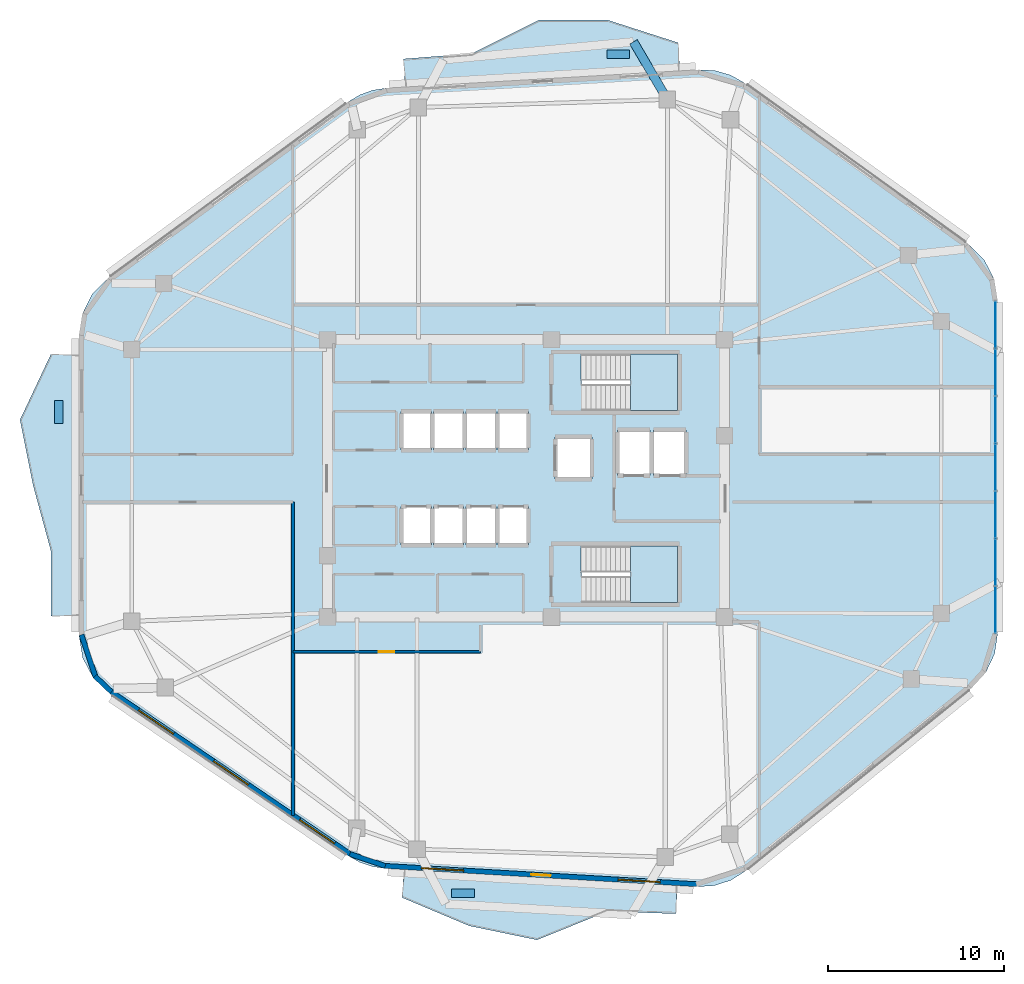
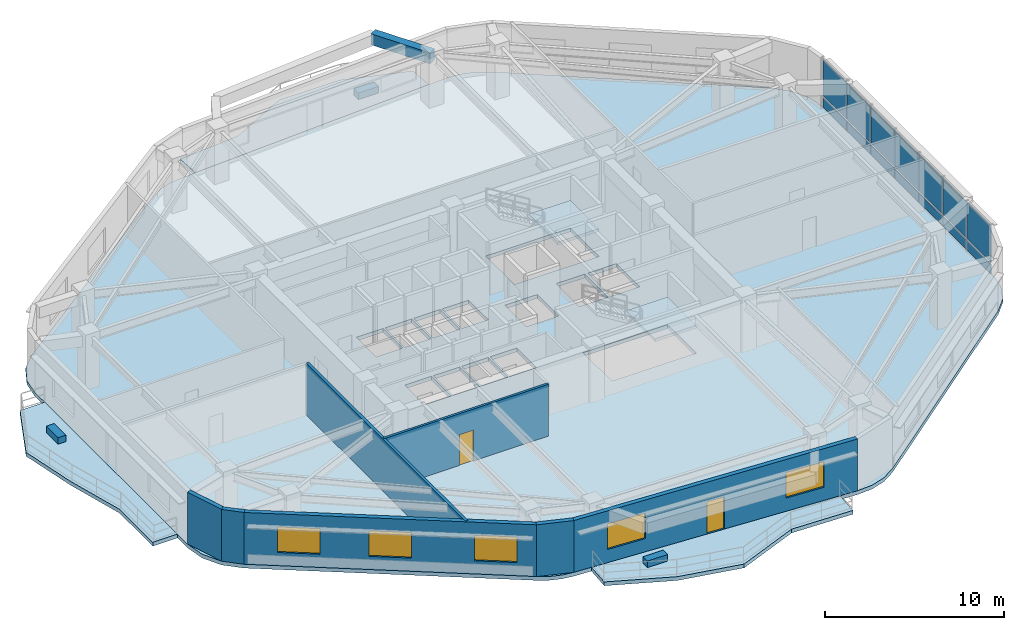
# One storey, part 8 of 14: 17 plates, 7 walls, 6 slabs, 5 windows, 2 doors, 1 beam, 7 openings, 3 elements without a shape of their own.
"""IFC4 building model written with IfcOpenShell, lengths in metres."""

from ifc_helpers import new_model, si_unit, direction, frame, frame_2d, origin, origin_2d, place, context, subcontext, project, spatial, polyline, rectangle, outline, extrude, material, layer, layer_set, material_profile, profile_set, type_object, element, fill, aggregate, save


model = new_model("IFC4")

# Units and contexts
model_context = context("Model", 3, precision=1e-05, world=origin(), true_north=direction((0.0, 1.0)))
body_context = subcontext(model_context, "Body", "Model", "MODEL_VIEW")
ifc_project = project(units=[si_unit("LENGTHUNIT", "METRE"), si_unit("AREAUNIT", "SQUARE_METRE"), si_unit("VOLUMEUNIT", "CUBIC_METRE"), si_unit("PLANEANGLEUNIT", "RADIAN"), si_unit("MASSUNIT", "GRAM", prefix="KILO")], contexts=[model_context])

# Site, building, storey
site_placement = place(None, origin())
site = spatial("IfcSite", under=ifc_project, at=site_placement, CompositionType="ELEMENT")
building_placement = place(site_placement, origin())
building = spatial("IfcBuilding", under=site, at=building_placement, Name="Zulverin Broadcast Headquarters", CompositionType="ELEMENT")
storey_placement = place(building_placement, frame((0.0, 0.0, 201.0)))
storey = spatial("IfcBuildingStorey", under=building, at=storey_placement, Name="L51", CompositionType="ELEMENT", Elevation=201.0)

# Beam
ifc_material_1 = material(Name="Concrete C40/50", Category="concrete")
ifc_material_profile = material_profile(ifc_material_1, rectangle(XDim=0.5, YDim=0.75, at=origin_2d()), Name="Concrete C40/50", Category="concrete")
ifc_profile_set = profile_set([ifc_material_profile], Name="Concrete C40/50")
beam_type = type_object("IfcBeamType", Name="BM-RC-500x750", PredefinedType="BEAM", material=ifc_profile_set)
beam_placement = place(storey_placement, frame((45.027587890625, 46.7236328125, 3.1650390625), z_axis=(-0.506062406052, 0.862496864447, 0.0), x_axis=(-0.862496864447, -0.506062406052, 0.0)))
element("IfcBeam", 1, at=beam_placement, inside=storey, type_object=beam_type, Name="L52 Balcony Column-Framed Cantilever BAL_N-1", PredefinedType="BEAM", context=body_context, shape_type="SweptSolid", body=[
    extrude(rectangle(XDim=0.5, YDim=0.75, at=origin_2d()), origin(), (0.0, 0.0, 1.0), 3.800048828125),
])

# Curtain wall, plates
ifc_material_2 = material(Name="Waist wind-pressure unitised curtain wall", Category="aluminium")
curtain_wall_type = type_object("IfcCurtainWallType", Name="CW-TWR-WST", PredefinedType="USERDEFINED", material=ifc_material_2)
curtain_wall_placement = place(storey_placement, origin())
curtain_wall = element("IfcCurtainWall", 2, at=curtain_wall_placement, inside=storey, type_object=curtain_wall_type, Name="L51 Unitised Curtain Wall CW-L51-E3", ObjectType="UNITISED CURTAIN WALL", PredefinedType="USERDEFINED")
ifc_material_3 = material(Name="Low-E double-glazed pale-silver vision glass", Category="glass")
ifc_layer_1 = layer(ifc_material_3, 0.035888671875, Name="Low-E double-glazed pale-silver vision glass", Category="glass")
ifc_layer_set_1 = layer_set([ifc_layer_1], Name="Low-E double-glazed pale-silver vision glass")
plate_type_1 = type_object("IfcPlateType", Name="CW-PNL-GLZ", PredefinedType="CURTAIN_PANEL", material=ifc_layer_set_1)
plate_1_placement = place(storey_placement, frame((63.679931640625, 17.73876953125, 0.91455078125), z_axis=(0.0, 0.0, 1.0), x_axis=(0.0, 1.0, 0.0)))
plate_1 = element("IfcPlate", 3, at=plate_1_placement, type_object=plate_type_1, Name="CW-L51-E3 Vision Panel 00", PredefinedType="CURTAIN_PANEL", context=body_context, shape_type="SweptSolid", body=[
    extrude(rectangle(XDim=2.656494140625, YDim=0.035888671875, at=origin_2d()), origin(), (0.0, 0.0, 1.0), 2.4853515625),
])
plate_2_placement = place(storey_placement, frame((63.679931640625, 20.435302734375, 0.91455078125), z_axis=(0.0, 0.0, 1.0), x_axis=(0.0, 1.0, 0.0)))
plate_2 = element("IfcPlate", 4, at=plate_2_placement, type_object=plate_type_1, Name="CW-L51-E3 Vision Panel 01", PredefinedType="CURTAIN_PANEL", context=body_context, shape_type="SweptSolid", body=[
    extrude(rectangle(XDim=2.656494140625, YDim=0.035888671875, at=origin_2d()), origin(), (0.0, 0.0, 1.0), 2.4853515625),
])
plate_3_placement = place(storey_placement, frame((63.679931640625, 23.1318359375, 0.91455078125), z_axis=(0.0, 0.0, 1.0), x_axis=(0.0, 1.0, 0.0)))
plate_3 = element("IfcPlate", 5, at=plate_3_placement, type_object=plate_type_1, Name="CW-L51-E3 Vision Panel 02", PredefinedType="CURTAIN_PANEL", context=body_context, shape_type="SweptSolid", body=[
    extrude(rectangle(XDim=2.656494140625, YDim=0.035888671875, at=origin_2d()), origin(), (0.0, 0.0, 1.0), 2.4853515625),
])
plate_4_placement = place(storey_placement, frame((63.679931640625, 25.828369140625, 0.91455078125), z_axis=(0.0, 0.0, 1.0), x_axis=(0.0, 1.0, 0.0)))
plate_4 = element("IfcPlate", 6, at=plate_4_placement, type_object=plate_type_1, Name="CW-L51-E3 Vision Panel 03", PredefinedType="CURTAIN_PANEL", context=body_context, shape_type="SweptSolid", body=[
    extrude(rectangle(XDim=2.656494140625, YDim=0.035888671875, at=origin_2d()), origin(), (0.0, 0.0, 1.0), 2.4853515625),
])
plate_5_placement = place(storey_placement, frame((63.679931640625, 28.52490234375, 0.91455078125), z_axis=(0.0, 0.0, 1.0), x_axis=(0.0, 1.0, 0.0)))
plate_5 = element("IfcPlate", 7, at=plate_5_placement, type_object=plate_type_1, Name="CW-L51-E3 Vision Panel 04", PredefinedType="CURTAIN_PANEL", context=body_context, shape_type="SweptSolid", body=[
    extrude(rectangle(XDim=2.656494140625, YDim=0.035888671875, at=origin_2d()), origin(), (0.0, 0.0, 1.0), 2.4853515625),
])
plate_6_placement = place(storey_placement, frame((63.679931640625, 31.221435546875, 0.91455078125), z_axis=(0.0, 0.0, 1.0), x_axis=(0.0, 1.0, 0.0)))
plate_6 = element("IfcPlate", 8, at=plate_6_placement, type_object=plate_type_1, Name="CW-L51-E3 Vision Panel 05", PredefinedType="CURTAIN_PANEL", context=body_context, shape_type="SweptSolid", body=[
    extrude(rectangle(XDim=2.656494140625, YDim=0.035888671875, at=origin_2d()), origin(), (0.0, 0.0, 1.0), 2.4853515625),
])
plate_7_placement = place(storey_placement, frame((63.679931640625, 33.91796875, 0.91455078125), z_axis=(0.0, 0.0, 1.0), x_axis=(0.0, 1.0, 0.0)))
plate_7 = element("IfcPlate", 9, at=plate_7_placement, type_object=plate_type_1, Name="CW-L51-E3 Vision Panel 06", PredefinedType="CURTAIN_PANEL", context=body_context, shape_type="SweptSolid", body=[
    extrude(rectangle(XDim=2.656494140625, YDim=0.035888671875, at=origin_2d()), origin(), (0.0, 0.0, 1.0), 2.4853515625),
])
ifc_material_4 = material(Name="Insulated brushed pale-aluminium spandrel cassette", Category="aluminium")
ifc_layer_2 = layer(ifc_material_4, 0.050048828125, Name="Insulated brushed pale-aluminium spandrel cassette", Category="aluminium")
ifc_layer_set_2 = layer_set([ifc_layer_2], Name="Insulated brushed pale-aluminium spandrel cassette")
plate_type_2 = type_object("IfcPlateType", Name="CW-PNL-SPN", PredefinedType="CURTAIN_PANEL", material=ifc_layer_set_2)
plate_8_placement = place(storey_placement, frame((63.679931640625, 17.73876953125, 0.14013671875), z_axis=(0.0, 0.0, 1.0), x_axis=(0.0, 1.0, 0.0)))
plate_8 = element("IfcPlate", 10, at=plate_8_placement, type_object=plate_type_2, Name="CW-L51-E3 Spandrel Cassette 00", PredefinedType="CURTAIN_PANEL", context=body_context, shape_type="SweptSolid", body=[
    extrude(rectangle(XDim=2.656494140625, YDim=0.050048828125, at=origin_2d()), origin(), (0.0, 0.0, 1.0), 0.64453125),
])
plate_9_placement = place(storey_placement, frame((63.679931640625, 20.435302734375, 0.14013671875), z_axis=(0.0, 0.0, 1.0), x_axis=(0.0, 1.0, 0.0)))
plate_9 = element("IfcPlate", 11, at=plate_9_placement, type_object=plate_type_2, Name="CW-L51-E3 Spandrel Cassette 01", PredefinedType="CURTAIN_PANEL", context=body_context, shape_type="SweptSolid", body=[
    extrude(rectangle(XDim=2.656494140625, YDim=0.050048828125, at=origin_2d()), origin(), (0.0, 0.0, 1.0), 0.64453125),
])
plate_10_placement = place(storey_placement, frame((63.679931640625, 23.1318359375, 0.14013671875), z_axis=(0.0, 0.0, 1.0), x_axis=(0.0, 1.0, 0.0)))
plate_10 = element("IfcPlate", 12, at=plate_10_placement, type_object=plate_type_2, Name="CW-L51-E3 Spandrel Cassette 02", PredefinedType="CURTAIN_PANEL", context=body_context, shape_type="SweptSolid", body=[
    extrude(rectangle(XDim=2.656494140625, YDim=0.050048828125, at=origin_2d()), origin(), (0.0, 0.0, 1.0), 0.64453125),
])
plate_11_placement = place(storey_placement, frame((63.679931640625, 25.828369140625, 0.14013671875), z_axis=(0.0, 0.0, 1.0), x_axis=(0.0, 1.0, 0.0)))
plate_11 = element("IfcPlate", 13, at=plate_11_placement, type_object=plate_type_2, Name="CW-L51-E3 Spandrel Cassette 03", PredefinedType="CURTAIN_PANEL", context=body_context, shape_type="SweptSolid", body=[
    extrude(rectangle(XDim=2.656494140625, YDim=0.050048828125, at=origin_2d()), origin(), (0.0, 0.0, 1.0), 0.64453125),
])
plate_12_placement = place(storey_placement, frame((63.679931640625, 28.52490234375, 0.14013671875), z_axis=(0.0, 0.0, 1.0), x_axis=(0.0, 1.0, 0.0)))
plate_12 = element("IfcPlate", 14, at=plate_12_placement, type_object=plate_type_2, Name="CW-L51-E3 Spandrel Cassette 04", PredefinedType="CURTAIN_PANEL", context=body_context, shape_type="SweptSolid", body=[
    extrude(rectangle(XDim=2.656494140625, YDim=0.050048828125, at=origin_2d()), origin(), (0.0, 0.0, 1.0), 0.64453125),
])
plate_13_placement = place(storey_placement, frame((63.679931640625, 31.221435546875, 0.14013671875), z_axis=(0.0, 0.0, 1.0), x_axis=(0.0, 1.0, 0.0)))
plate_13 = element("IfcPlate", 15, at=plate_13_placement, type_object=plate_type_2, Name="CW-L51-E3 Spandrel Cassette 05", PredefinedType="CURTAIN_PANEL", context=body_context, shape_type="SweptSolid", body=[
    extrude(rectangle(XDim=2.656494140625, YDim=0.050048828125, at=origin_2d()), origin(), (0.0, 0.0, 1.0), 0.64453125),
])
plate_14_placement = place(storey_placement, frame((63.679931640625, 33.91796875, 0.14013671875), z_axis=(0.0, 0.0, 1.0), x_axis=(0.0, 1.0, 0.0)))
plate_14 = element("IfcPlate", 16, at=plate_14_placement, type_object=plate_type_2, Name="CW-L51-E3 Spandrel Cassette 06", PredefinedType="CURTAIN_PANEL", context=body_context, shape_type="SweptSolid", body=[
    extrude(rectangle(XDim=2.656494140625, YDim=0.050048828125, at=origin_2d()), origin(), (0.0, 0.0, 1.0), 0.64453125),
])
aggregate(curtain_wall, [plate_8, plate_1, plate_9, plate_2, plate_10, plate_3, plate_11, plate_4, plate_12, plate_5, plate_13, plate_6, plate_14, plate_7])

# Plates
ifc_material_5 = material(Name="Precast concrete C45/55", Category="concrete")
ifc_layer_3 = layer(ifc_material_5, 0.449951171875, Name="Precast concrete C45/55", Category="concrete")
ifc_layer_set_3 = layer_set([ifc_layer_3], Name="Precast concrete C45/55")
plate_type_3 = type_object("IfcPlateType", Name="PT-01_PRECAST_GFRC_TREE_PLANTER", PredefinedType="USERDEFINED", material=ifc_layer_set_3)
for number, where, z_axis, x_axis, name in (
    (17, (42.239013671875, 49.298095703125, -0.0048828125), (0.0, 0.0, 1.0), (1.0, 0.0, 0.0), "L51 Precast GFRC Tree Planter BAL_N"),
    (18, (10.449951171875, 28.96826171875, -0.0048828125), (0.0, 0.0, 1.0), (0.0, 1.0, 0.0), "L51 Precast GFRC Tree Planter BAL_W"),
    (19, (33.41015625, 1.621337890625, -0.0048828125), (0.0, 0.0, 1.0), (1.0, 0.0, 0.0), "L51 Precast GFRC Tree Planter BAL_S"),
):
    element("IfcPlate", number, at=place(storey_placement, frame(where, z_axis=z_axis, x_axis=x_axis)), inside=storey, type_object=plate_type_3, Name=name, ObjectType="PLANTER", PredefinedType="USERDEFINED", context=body_context, shape_type="SweptSolid", body=[
        extrude(rectangle(XDim=1.300048828125, YDim=0.5, at=origin_2d()), origin(), (0.0, 0.0, 1.0), 0.449951171875),
    ])

# Slabs
ifc_layer_4 = layer(ifc_material_1, 0.260009765625, Name="Concrete C40/50", Category="concrete")
ifc_layer_set_4 = layer_set([ifc_layer_4], Name="Concrete C40/50")
slab_type_1 = type_object("IfcSlabType", Name="SLB-BAL-260", PredefinedType="FLOOR", material=ifc_layer_set_4)
slab_1_placement = place(storey_placement, frame((0.0, 0.0, -0.260009765625)))
element("IfcSlab", 20, at=slab_1_placement, inside=storey, type_object=slab_type_1, Name="L51 Cantilevered Planted Balcony Slab BAL_N", PredefinedType="FLOOR", context=body_context, shape_type="SweptSolid", body=[
    extrude(outline(polyline([(30.1337890625, 47.43408203125), (45.739990234375, 48.35205078125), (45.64599609375, 49.94921875), (41.655517578125, 51.233642578125), (37.73974609375, 51.241943359375), (33.93701171875, 49.3369140625), (30.039794921875, 49.03125), (30.1337890625, 47.43408203125)])), origin(), (0.0, 0.0, 1.0), 0.260009765625),
])
slab_2_placement = place(storey_placement, frame((0.0, 0.0, -0.260009765625)))
element("IfcSlab", 21, at=slab_2_placement, inside=storey, type_object=slab_type_1, Name="L51 Cantilevered Planted Balcony Slab BAL_W", PredefinedType="FLOOR", context=body_context, shape_type="SweptSolid", body=[
    extrude(outline(polyline([(11.60009765625, 17.36767578125), (11.60009765625, 32.240234375), (10.0, 32.240234375), (8.24609375, 28.522216796875), (8.989501953125, 24.803955078125), (10.0, 21.085693359375), (10.0, 17.36767578125), (11.60009765625, 17.36767578125)])), origin(), (0.0, 0.0, 1.0), 0.260009765625),
])
slab_3_placement = place(storey_placement, frame((0.0, 0.0, -0.260009765625)))
element("IfcSlab", 22, at=slab_3_placement, inside=storey, type_object=slab_type_1, Name="L51 Cantilevered Planted Balcony Slab BAL_S", PredefinedType="FLOOR", context=body_context, shape_type="SweptSolid", body=[
    extrude(outline(polyline([(45.61083984375, 2.0556640625), (30.055419921875, 2.970703125), (29.96142578125, 1.373291015625), (33.76953125, -0.22998046875), (37.624755859375, -1.03076171875), (41.622314453125, 0.590087890625), (45.51708984375, 0.45849609375), (45.61083984375, 2.0556640625)])), origin(), (0.0, 0.0, 1.0), 0.260009765625),
])

# Stair, slab
stair_type = type_object("IfcStairType", Name="ST-CORE-1500", PredefinedType="HALF_TURN_STAIR", material=ifc_material_1)
stair_1_placement = place(storey_placement, origin())
stair_1 = element("IfcStair", 23, at=stair_1_placement, inside=storey, type_object=stair_type, Name="L51 Core Exit Stair ST-1", PredefinedType="HALF_TURN_STAIR")
ifc_layer_5 = layer(ifc_material_1, 0.199951171875, Name="Concrete C40/50", Category="concrete")
ifc_layer_set_5 = layer_set([ifc_layer_5], Name="Concrete C40/50")
slab_type_2 = type_object("IfcSlabType", Name="SLB-ST-LND200", PredefinedType="LANDING", material=ifc_layer_set_5)
slab_4_placement = place(storey_placement, frame((0.0, 0.0, 1.699951171875)))
slab_4 = element("IfcSlab", 24, at=slab_4_placement, type_object=slab_type_2, Name="ST-1 landing 1", PredefinedType="LANDING", context=body_context, shape_type="SweptSolid", body=[
    extrude(outline(polyline([(42.929931640625, 29.050048828125), (45.60009765625, 29.050048828125), (45.60009765625, 32.25), (42.929931640625, 32.25), (42.929931640625, 29.050048828125)])), origin(), (0.0, 0.0, 1.0), 0.199951171875),
])
aggregate(stair_1, [slab_4])

stair_2_placement = place(storey_placement, origin())
stair_2 = element("IfcStair", 25, at=stair_2_placement, inside=storey, type_object=stair_type, Name="L51 Core Exit Stair ST-2", PredefinedType="HALF_TURN_STAIR")
slab_5_placement = place(storey_placement, frame((0.0, 0.0, 1.699951171875)))
slab_5 = element("IfcSlab", 26, at=slab_5_placement, type_object=slab_type_2, Name="ST-2 landing 1", PredefinedType="LANDING", context=body_context, shape_type="SweptSolid", body=[
    extrude(outline(polyline([(42.929931640625, 18.14990234375), (45.60009765625, 18.14990234375), (45.60009765625, 21.35009765625), (42.929931640625, 21.35009765625), (42.929931640625, 18.14990234375)])), origin(), (0.0, 0.0, 1.0), 0.199951171875),
])
aggregate(stair_2, [slab_5])

# Slab
ifc_layer_6 = layer(ifc_material_1, 0.260009765625, Name="Concrete C40/50", Category="concrete")
ifc_layer_set_6 = layer_set([ifc_layer_6], Name="Concrete C40/50")
slab_type_3 = type_object("IfcSlabType", Name="SLB-TWR-260", PredefinedType="FLOOR", material=ifc_layer_set_6)
slab_6_placement = place(storey_placement, frame((0.0, 0.0, -0.260009765625)))
element("IfcSlab", 27, at=slab_6_placement, inside=storey, type_object=slab_type_3, Name="L51 Main Structural Floor Slab", PredefinedType="FLOOR", context=body_context, shape_type="SweptSolid", body=[
    extrude(outline(polyline([(26.943603515625, 3.72021484375), (27.570068359375, 3.3720703125), (28.24853515625, 3.14111328125), (28.95751953125, 3.03515625), (46.708984375, 1.990966796875), (47.690185546875, 2.05419921875), (48.626220703125, 2.35498046875), (49.46044921875, 2.875), (62.316650390625, 13.28125), (63.11572265625, 14.1533203125), (63.625, 15.220703125), (63.800048828125, 16.390380859375), (63.800048828125, 35.26611328125), (63.602294921875, 36.50830078125), (63.02880859375, 37.627197265625), (62.13623046875, 38.51318359375), (49.408935546875, 47.67041015625), (48.61669921875, 48.113525390625), (47.74462890625, 48.36669921875), (46.837890625, 48.41650390625), (29.03564453125, 47.369384765625), (28.27978515625, 47.251708984375), (27.560302734375, 46.9921875), (26.9033203125, 46.6005859375), (13.23291015625, 36.564697265625), (12.356201171875, 35.680908203125), (11.793701171875, 34.570068359375), (11.60009765625, 33.34033203125), (11.60009765625, 16.267578125), (11.808837890625, 14.991943359375), (12.413818359375, 13.849365234375), (13.351318359375, 12.95947265625), (26.943603515625, 3.72021484375)]), holes=[polyline([(40.155029296875, 30.75), (40.130126953125, 30.75), (40.130126953125, 32.25), (45.60009765625, 32.25), (45.60009765625, 29.050048828125), (40.155029296875, 29.050048828125), (40.155029296875, 30.75)]), polyline([(40.155029296875, 19.85009765625), (40.130126953125, 19.85009765625), (40.130126953125, 21.35009765625), (45.60009765625, 21.35009765625), (45.60009765625, 18.14990234375), (40.155029296875, 18.14990234375), (40.155029296875, 19.85009765625)]), polyline([(29.89990234375, 21.39990234375), (31.6201171875, 21.39990234375), (31.6201171875, 23.60009765625), (29.89990234375, 23.60009765625), (29.89990234375, 21.39990234375)]), polyline([(31.739990234375, 21.39990234375), (33.4599609375, 21.39990234375), (33.4599609375, 23.60009765625), (31.739990234375, 23.60009765625), (31.739990234375, 21.39990234375)]), polyline([(33.580078125, 21.39990234375), (35.300048828125, 21.39990234375), (35.300048828125, 23.60009765625), (33.580078125, 23.60009765625), (33.580078125, 21.39990234375)]), polyline([(35.419921875, 21.39990234375), (37.139892578125, 21.39990234375), (37.139892578125, 23.60009765625), (35.419921875, 23.60009765625), (35.419921875, 21.39990234375)]), polyline([(29.89990234375, 26.800048828125), (31.6201171875, 26.800048828125), (31.6201171875, 29.0), (29.89990234375, 29.0), (29.89990234375, 26.800048828125)]), polyline([(31.739990234375, 26.800048828125), (33.4599609375, 26.800048828125), (33.4599609375, 29.0), (31.739990234375, 29.0), (31.739990234375, 26.800048828125)]), polyline([(33.580078125, 26.800048828125), (35.300048828125, 26.800048828125), (35.300048828125, 29.0), (33.580078125, 29.0), (33.580078125, 26.800048828125)]), polyline([(35.419921875, 26.800048828125), (37.139892578125, 26.800048828125), (37.139892578125, 29.0), (35.419921875, 29.0), (35.419921875, 26.800048828125)]), polyline([(42.199951171875, 25.35009765625), (44.050048828125, 25.35009765625), (44.050048828125, 27.949951171875), (42.199951171875, 27.949951171875), (42.199951171875, 25.35009765625)]), polyline([(44.25, 25.35009765625), (46.10009765625, 25.35009765625), (46.10009765625, 27.949951171875), (44.25, 27.949951171875), (44.25, 25.35009765625)]), polyline([(38.64990234375, 25.14990234375), (40.75, 25.14990234375), (40.75, 27.550048828125), (38.64990234375, 27.550048828125), (38.64990234375, 25.14990234375)])]), origin(), (0.0, 0.0, 1.0), 0.260009765625),
])

# Wall, openings, door, windows
ifc_material_6 = material(Name="Insulated pale-metal clad concrete spandrel C40/50", Category="concrete")
ifc_layer_7 = layer(ifc_material_6, 0.280029296875, Name="Insulated pale-metal clad concrete spandrel C40/50", Category="concrete")
ifc_layer_set_7 = layer_set([ifc_layer_7], Name="Insulated pale-metal clad concrete spandrel C40/50")
wall_type_1 = type_object("IfcWallType", Name="WL-EXT-280", PredefinedType="STANDARD", material=ifc_layer_set_7)
wall_1_placement = place(storey_placement, frame((28.965576171875, 3.175048828125, 0.0), z_axis=(0.0, 0.0, 1.0), x_axis=(0.998274467859, -0.058720412304, 0.0)))
wall_1 = element("IfcWall", 28, at=wall_1_placement, inside=storey, type_object=wall_type_1, Name="L51 Pale-Metal Clad Spandrel Wall 1", PredefinedType="STANDARD", context=body_context, shape_type="SweptSolid", body=[
    extrude(rectangle(XDim=17.782470703125, YDim=0.280029296875, at=frame_2d((8.89111328125, 0.0))), origin(), (0.0, 0.0, 1.0), 3.5400390625),
])
opening_1_placement = place(wall_1_placement, frame((8.341064453125, 0.0, 0.0)))
opening_1 = element("IfcOpeningElement", 29, at=opening_1_placement, cuts=wall_1, Name="Opening D-L51-TR1", PredefinedType="OPENING", context=body_context, shape_type="SweptSolid", body=[
    extrude(rectangle(XDim=1.10009765625, YDim=2.199951171875, at=frame_2d((0.550048828125, 1.10009765625))), frame((0.0, 0.14990234375, 0.0), z_axis=(0.0, -1.0, 0.0), x_axis=(1.0, 0.0, 0.0)), (0.0, 0.0, 1.0), 0.300048828125),
])
opening_2_placement = place(wall_1_placement, frame((2.096923828125, 0.0, 0.89990234375)))
opening_2 = element("IfcOpeningElement", 30, at=opening_2_placement, cuts=wall_1, Name="Opening W-L51-E11", PredefinedType="OPENING", context=body_context, shape_type="SweptSolid", body=[
    extrude(rectangle(XDim=2.39990234375, YDim=1.75, at=frame_2d((1.199951171875, 0.875))), frame((0.0, 0.14990234375, 0.0), z_axis=(0.0, -1.0, 0.0), x_axis=(1.0, 0.0, 0.0)), (0.0, 0.0, 1.0), 0.300048828125),
])
opening_3_placement = place(wall_1_placement, frame((13.28515625, 0.0, 0.89990234375)))
opening_3 = element("IfcOpeningElement", 31, at=opening_3_placement, cuts=wall_1, Name="Opening W-L51-E12", PredefinedType="OPENING", context=body_context, shape_type="SweptSolid", body=[
    extrude(rectangle(XDim=2.39990234375, YDim=1.75, at=frame_2d((1.199951171875, 0.875))), frame((0.0, 0.14990234375, 0.0), z_axis=(0.0, -1.0, 0.0), x_axis=(1.0, 0.0, 0.0)), (0.0, 0.0, 1.0), 0.300048828125),
])
ifc_material_7 = material(Name="Thermally broken aluminium glazed", Category="aluminium")
door_type_1 = type_object("IfcDoorType", Name="DR-TERR-1100", OperationType="SINGLE_SWING_RIGHT", PredefinedType="DOOR", material=ifc_material_7)
door_1_placement = place(opening_1_placement, origin())
door_1 = element("IfcDoor", 32, at=door_1_placement, inside=storey, type_object=door_type_1, Name="L51 Planted Terrace Glazed Access Door 1", OperationType="SINGLE_SWING_RIGHT", OverallHeight=2.199951171875, OverallWidth=1.10009765625, PredefinedType="DOOR", context=body_context, shape_type="SweptSolid", body=[
    extrude(rectangle(XDim=1.10009765625, YDim=2.199951171875, at=frame_2d((0.550048828125, 1.10009765625))), frame((0.0, 0.02490234375, 0.0), z_axis=(0.0, -1.0, 0.0), x_axis=(1.0, 0.0, 0.0)), (0.0, 0.0, 1.0), 0.050048828125),
])
fill(opening_1, door_1)
ifc_material_8 = material(Name="Pale anodized aluminium frame with solar-control low-E double glazing", Category="aluminium")
window_type = type_object("IfcWindowType", Name="WIN-RIB-2400", PartitioningType="SINGLE_PANEL", PredefinedType="WINDOW", material=ifc_material_8)
window_1_placement = place(opening_2_placement, origin())
window_1 = element("IfcWindow", 33, at=window_1_placement, inside=storey, type_object=window_type, Name="L51 Ribbon Glazing Window 1 1", OverallHeight=1.75, OverallWidth=2.39990234375, PartitioningType="SINGLE_PANEL", PredefinedType="WINDOW", context=body_context, shape_type="SweptSolid", body=[
    extrude(rectangle(XDim=2.39990234375, YDim=1.75, at=frame_2d((1.199951171875, 0.875))), frame((0.0, 0.030029296875, 0.0), z_axis=(0.0, -1.0, 0.0), x_axis=(1.0, 0.0, 0.0)), (0.0, 0.0, 1.0), 0.06005859375),
])
fill(opening_2, window_1)
window_2_placement = place(opening_3_placement, origin())
window_2 = element("IfcWindow", 34, at=window_2_placement, inside=storey, type_object=window_type, Name="L51 Ribbon Glazing Window 1 2", OverallHeight=1.75, OverallWidth=2.39990234375, PartitioningType="SINGLE_PANEL", PredefinedType="WINDOW", context=body_context, shape_type="SweptSolid", body=[
    extrude(rectangle(XDim=2.39990234375, YDim=1.75, at=frame_2d((1.199951171875, 0.875))), frame((0.0, 0.030029296875, 0.0), z_axis=(0.0, -1.0, 0.0), x_axis=(1.0, 0.0, 0.0)), (0.0, 0.0, 1.0), 0.06005859375),
])
fill(opening_3, window_2)

# Wall, openings, windows
wall_2_placement = place(storey_placement, frame((13.429931640625, 13.0751953125, 0.0), z_axis=(0.0, 0.0, 1.0), x_axis=(0.827025402003, -0.562164552815, 0.0)))
wall_2 = element("IfcWall", 35, at=wall_2_placement, inside=storey, type_object=wall_type_1, Name="L51 Pale-Metal Clad Spandrel Wall 8", PredefinedType="STANDARD", context=body_context, shape_type="SweptSolid", body=[
    extrude(rectangle(XDim=16.43505859375, YDim=0.280029296875, at=frame_2d((8.217529296875, 0.0))), origin(), (0.0, 0.0, 1.0), 3.5400390625),
])
opening_4_placement = place(wall_2_placement, frame((1.87255859375, 0.0, 0.89990234375)))
opening_4 = element("IfcOpeningElement", 36, at=opening_4_placement, cuts=wall_2, Name="Opening W-L51-E81", PredefinedType="OPENING", context=body_context, shape_type="SweptSolid", body=[
    extrude(rectangle(XDim=2.39990234375, YDim=1.75, at=frame_2d((1.199951171875, 0.875))), frame((0.0, 0.14990234375, 0.0), z_axis=(0.0, -1.0, 0.0), x_axis=(1.0, 0.0, 0.0)), (0.0, 0.0, 1.0), 0.300048828125),
])
opening_5_placement = place(wall_2_placement, frame((7.017578125, 0.0, 0.89990234375)))
opening_5 = element("IfcOpeningElement", 37, at=opening_5_placement, cuts=wall_2, Name="Opening W-L51-E82", PredefinedType="OPENING", context=body_context, shape_type="SweptSolid", body=[
    extrude(rectangle(XDim=2.39990234375, YDim=1.75, at=frame_2d((1.199951171875, 0.875))), frame((0.0, 0.14990234375, 0.0), z_axis=(0.0, -1.0, 0.0), x_axis=(1.0, 0.0, 0.0)), (0.0, 0.0, 1.0), 0.300048828125),
])
opening_6_placement = place(wall_2_placement, frame((12.942626953125, 0.0, 0.89990234375)))
opening_6 = element("IfcOpeningElement", 38, at=opening_6_placement, cuts=wall_2, Name="Opening W-L51-E83", PredefinedType="OPENING", context=body_context, shape_type="SweptSolid", body=[
    extrude(rectangle(XDim=2.39990234375, YDim=1.75, at=frame_2d((1.199951171875, 0.875))), frame((0.0, 0.14990234375, 0.0), z_axis=(0.0, -1.0, 0.0), x_axis=(1.0, 0.0, 0.0)), (0.0, 0.0, 1.0), 0.300048828125),
])
window_3_placement = place(opening_4_placement, origin())
window_3 = element("IfcWindow", 39, at=window_3_placement, inside=storey, type_object=window_type, Name="L51 Ribbon Glazing Window 8 1", OverallHeight=1.75, OverallWidth=2.39990234375, PartitioningType="SINGLE_PANEL", PredefinedType="WINDOW", context=body_context, shape_type="SweptSolid", body=[
    extrude(rectangle(XDim=2.39990234375, YDim=1.75, at=frame_2d((1.199951171875, 0.875))), frame((0.0, 0.030029296875, 0.0), z_axis=(0.0, -1.0, 0.0), x_axis=(1.0, 0.0, 0.0)), (0.0, 0.0, 1.0), 0.06005859375),
])
fill(opening_4, window_3)
window_4_placement = place(opening_5_placement, origin())
window_4 = element("IfcWindow", 40, at=window_4_placement, inside=storey, type_object=window_type, Name="L51 Ribbon Glazing Window 8 2", OverallHeight=1.75, OverallWidth=2.39990234375, PartitioningType="SINGLE_PANEL", PredefinedType="WINDOW", context=body_context, shape_type="SweptSolid", body=[
    extrude(rectangle(XDim=2.39990234375, YDim=1.75, at=frame_2d((1.199951171875, 0.875))), frame((0.0, 0.030029296875, 0.0), z_axis=(0.0, -1.0, 0.0), x_axis=(1.0, 0.0, 0.0)), (0.0, 0.0, 1.0), 0.06005859375),
])
fill(opening_5, window_4)
window_5_placement = place(opening_6_placement, origin())
window_5 = element("IfcWindow", 41, at=window_5_placement, inside=storey, type_object=window_type, Name="L51 Ribbon Glazing Window 8 3", OverallHeight=1.75, OverallWidth=2.39990234375, PartitioningType="SINGLE_PANEL", PredefinedType="WINDOW", context=body_context, shape_type="SweptSolid", body=[
    extrude(rectangle(XDim=2.39990234375, YDim=1.75, at=frame_2d((1.199951171875, 0.875))), frame((0.0, 0.030029296875, 0.0), z_axis=(0.0, -1.0, 0.0), x_axis=(1.0, 0.0, 0.0)), (0.0, 0.0, 1.0), 0.06005859375),
])
fill(opening_6, window_5)

# Walls
wall_3_placement = place(storey_placement, frame((11.732666015625, 16.312255859375, 0.0), z_axis=(0.0, 0.0, 1.0), x_axis=(0.318924860995, -0.947780002447, 0.0)))
element("IfcWall", 42, at=wall_3_placement, inside=storey, type_object=wall_type_1, Name="L51 Wind-Shaped Corner Spandrel Wall 7-1", PredefinedType="STANDARD", context=body_context, shape_type="SweptSolid", body=[
    extrude(rectangle(XDim=2.551513671875, YDim=0.280029296875, at=frame_2d((1.27587890625, 0.0))), origin(), (0.0, 0.0, 1.0), 3.5400390625),
])
wall_4_placement = place(storey_placement, frame((12.510009765625, 13.950927734375, 0.0), z_axis=(0.0, 0.0, 1.0), x_axis=(0.725371815671, -0.688357268451, 0.0)))
element("IfcWall", 43, at=wall_4_placement, inside=storey, type_object=wall_type_1, Name="L51 Wind-Shaped Corner Spandrel Wall 7-2", PredefinedType="STANDARD", context=body_context, shape_type="SweptSolid", body=[
    extrude(rectangle(XDim=1.292724609375, YDim=0.280029296875, at=frame_2d((0.646484375, 0.0))), origin(), (0.0, 0.0, 1.0), 3.5400390625),
])
wall_5_placement = place(storey_placement, frame((26.98876953125, 3.852783203125, 0.0), z_axis=(0.0, 0.0, 1.0), x_axis=(0.946713959835, -0.322075578479, 0.0)))
element("IfcWall", 44, at=wall_5_placement, inside=storey, type_object=wall_type_1, Name="L51 Wind-Shaped Corner Spandrel Wall 8-1", PredefinedType="STANDARD", context=body_context, shape_type="SweptSolid", body=[
    extrude(rectangle(XDim=2.126953125, YDim=0.280029296875, at=frame_2d((1.0634765625, 0.0))), origin(), (0.0, 0.0, 1.0), 3.5400390625),
])

# Wall, opening, door
ifc_material_9 = material(Name="Fire-rated gypsum stud partition", Category="gypsum")
ifc_layer_8 = layer(ifc_material_9, 0.14990234375, Name="Fire-rated gypsum stud partition", Category="gypsum")
ifc_layer_set_8 = layer_set([ifc_layer_8], Name="Fire-rated gypsum stud partition")
wall_type_2 = type_object("IfcWallType", Name="WL-PART-150", PredefinedType="PARTITIONING", material=ifc_layer_set_8)
wall_6_placement = place(storey_placement, frame((23.75, 15.35009765625, 0.0), z_axis=(0.0, 0.0, 1.0), x_axis=(1.0, 0.0, 0.0)))
wall_6 = element("IfcWall", 45, at=wall_6_placement, inside=storey, type_object=wall_type_2, Name="L51 Gallery Partition Wall CG-06", PredefinedType="PARTITIONING", context=body_context, shape_type="SweptSolid", body=[
    extrude(rectangle(XDim=10.64990234375, YDim=0.14990234375, at=frame_2d((5.324951171875, 0.0))), origin(), (0.0, 0.0, 1.0), 3.5400390625),
])
opening_7_placement = place(wall_6_placement, frame((4.875, 0.0, 0.0)))
opening_7 = element("IfcOpeningElement", 46, at=opening_7_placement, cuts=wall_6, Name="Opening D-L51-02", PredefinedType="OPENING", context=body_context, shape_type="SweptSolid", body=[
    extrude(rectangle(XDim=0.89990234375, YDim=2.10009765625, at=frame_2d((0.449951171875, 1.050048828125))), frame((0.0, 0.0849609375, 0.0), z_axis=(0.0, -1.0, 0.0), x_axis=(1.0, 0.0, 0.0)), (0.0, 0.0, 1.0), 0.169921875),
])
ifc_material_10 = material(Name="Fire-rated hardwood veneer timber leaf", Category="wood")
door_type_2 = type_object("IfcDoorType", Name="DR-ROOM-900", OperationType="SINGLE_SWING_RIGHT", PredefinedType="DOOR", material=ifc_material_10)
door_2_placement = place(opening_7_placement, origin())
door_2 = element("IfcDoor", 47, at=door_2_placement, inside=storey, type_object=door_type_2, Name="L51 Cloud Playout Control Suite Door", OperationType="SINGLE_SWING_RIGHT", OverallHeight=2.10009765625, OverallWidth=0.89990234375, PredefinedType="DOOR", context=body_context, shape_type="SweptSolid", body=[
    extrude(rectangle(XDim=0.89990234375, YDim=2.10009765625, at=frame_2d((0.449951171875, 1.050048828125))), frame((0.0, 0.02490234375, 0.0), z_axis=(0.0, -1.0, 0.0), x_axis=(1.0, 0.0, 0.0)), (0.0, 0.0, 1.0), 0.050048828125),
])
fill(opening_7, door_2)

# Wall
ifc_material_11 = material(Name="Fire-rated acoustic stud wall", Category="gypsum")
ifc_layer_9 = layer(ifc_material_11, 0.175048828125, Name="Fire-rated acoustic stud wall", Category="gypsum")
ifc_layer_set_9 = layer_set([ifc_layer_9], Name="Fire-rated acoustic stud wall")
wall_type_3 = type_object("IfcWallType", Name="WL-PART-175", PredefinedType="PARTITIONING", material=ifc_layer_set_9)
wall_7_placement = place(storey_placement, frame((23.75, 6.031005859375, 0.0), z_axis=(0.0, 0.0, 1.0), x_axis=(0.0, 1.0, 0.0)))
element("IfcWall", 48, at=wall_7_placement, inside=storey, type_object=wall_type_3, Name="L51 Gallery Partition Wall CG-04", PredefinedType="PARTITIONING", context=body_context, shape_type="SweptSolid", body=[
    extrude(rectangle(XDim=17.819091796875, YDim=0.175048828125, at=frame_2d((8.90966796875, 0.0))), origin(), (0.0, 0.0, 1.0), 3.5400390625),
])

save(model, "model.ifc")
